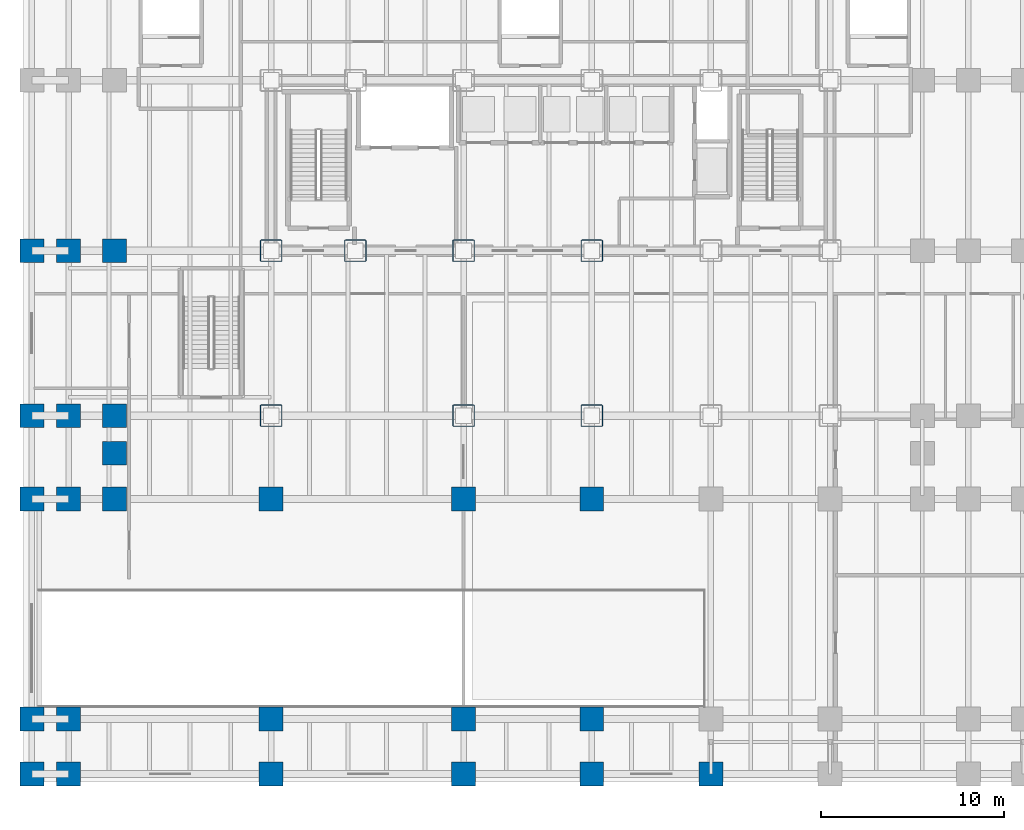
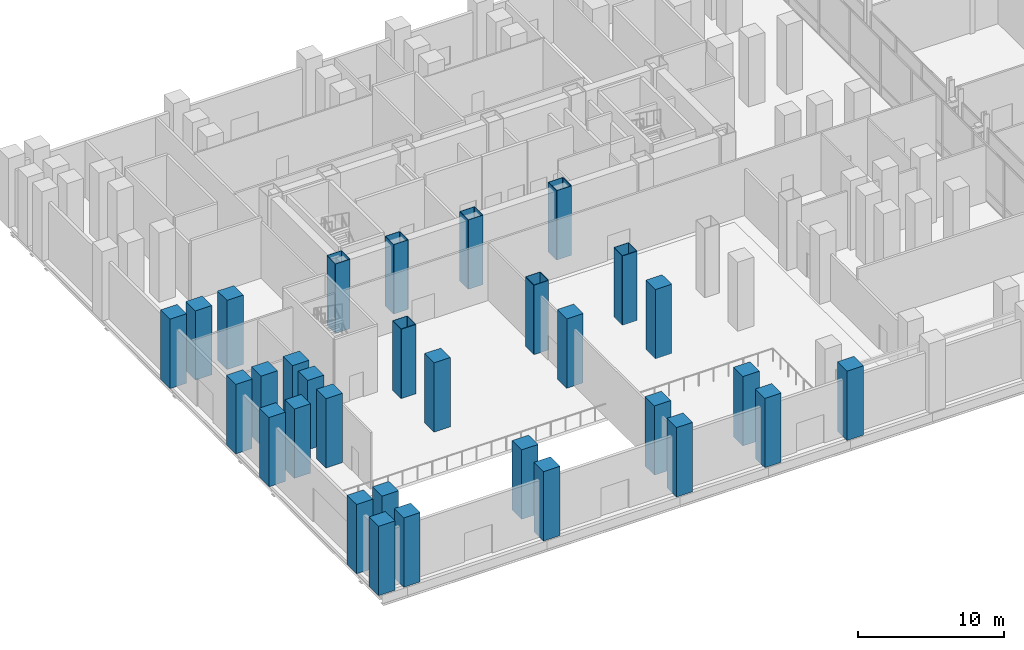
# One storey, part 1 of 36: 31 columns.
"""IFC4 building model written with IfcOpenShell, lengths in metres."""

from ifc_helpers import new_model, si_unit, direction, frame, origin, origin_2d, place, context, subcontext, project, spatial, rectangle, hollow_rectangle, extrude, material, material_profile, profile_set, type_object, element, save


model = new_model("IFC4")

# Units and contexts
model_context = context("Model", 3, precision=1e-05, world=origin(), true_north=direction((0.0, 1.0)))
body_context = subcontext(model_context, "Body", "Model", "MODEL_VIEW")
ifc_project = project(units=[si_unit("LENGTHUNIT", "METRE"), si_unit("AREAUNIT", "SQUARE_METRE"), si_unit("VOLUMEUNIT", "CUBIC_METRE"), si_unit("PLANEANGLEUNIT", "RADIAN"), si_unit("MASSUNIT", "GRAM", prefix="KILO")], contexts=[model_context])

# Site, building, storey
site_placement = place(None, origin())
site = spatial("IfcSite", under=ifc_project, at=site_placement, CompositionType="ELEMENT")
building_placement = place(site_placement, origin())
building = spatial("IfcBuilding", under=site, at=building_placement, Name="Noeulbin Bourse Tower", CompositionType="ELEMENT")
storey_placement = place(building_placement, origin())
storey = spatial("IfcBuildingStorey", under=building, at=storey_placement, Name="L01", CompositionType="ELEMENT", Elevation=0.0)

# Columns
ifc_material_1 = material(Name="Concrete C60/75", Category="concrete")
ifc_material_profile_1 = material_profile(ifc_material_1, rectangle(XDim=1.300048828125, YDim=1.300048828125, at=origin_2d()), Name="RC-COL-1300x1300", Category="LoadBearing")
ifc_profile_set_1 = profile_set([ifc_material_profile_1], Name="Concrete C60/75")
column_type_1 = type_object("IfcColumnType", Name="COL-POD-RC", PredefinedType="COLUMN", material=ifc_profile_set_1)
for number, where, z_axis, x_axis, name in (
    (1, (0.449951171875, 0.449951171875, 0.0), (0.0, 0.0, 1.0), (1.0, 0.0, 0.0), "Podium Column COL-POD-RC 01"),
    (2, (0.449951171875, 3.449951171875, 0.0), (0.0, 0.0, 1.0), (1.0, 0.0, 0.0), "Podium Column COL-POD-RC 02"),
    (3, (0.449951171875, 15.449951171875, 0.0), (0.0, 0.0, 1.0), (1.0, 0.0, 0.0), "Podium Column COL-POD-RC 03"),
    (4, (0.449951171875, 20.0, 0.0), (0.0, 0.0, 1.0), (1.0, 0.0, 0.0), "Podium Column COL-POD-RC 04"),
    (5, (0.449951171875, 29.0, 0.0), (0.0, 0.0, 1.0), (1.0, 0.0, 0.0), "Podium Column COL-POD-RC 05"),
    (6, (2.449951171875, 0.449951171875, 0.0), (0.0, 0.0, 1.0), (1.0, 0.0, 0.0), "Podium Column COL-POD-RC 10"),
    (7, (2.449951171875, 3.449951171875, 0.0), (0.0, 0.0, 1.0), (1.0, 0.0, 0.0), "Podium Column COL-POD-RC 11"),
    (8, (2.449951171875, 15.449951171875, 0.0), (0.0, 0.0, 1.0), (1.0, 0.0, 0.0), "Podium Column COL-POD-RC 12"),
    (9, (2.449951171875, 20.0, 0.0), (0.0, 0.0, 1.0), (1.0, 0.0, 0.0), "Podium Column COL-POD-RC 13"),
    (10, (2.449951171875, 29.0, 0.0), (0.0, 0.0, 1.0), (1.0, 0.0, 0.0), "Podium Column COL-POD-RC 14"),
    (11, (4.949951171875, 15.449951171875, 0.0), (0.0, 0.0, 1.0), (1.0, 0.0, 0.0), "Podium Column COL-POD-RC 19"),
    (12, (4.949951171875, 17.949951171875, 0.0), (0.0, 0.0, 1.0), (1.0, 0.0, 0.0), "Podium Column COL-POD-RC 20"),
    (13, (4.949951171875, 20.0, 0.0), (0.0, 0.0, 1.0), (1.0, 0.0, 0.0), "Podium Column COL-POD-RC 21"),
    (14, (4.949951171875, 29.0, 0.0), (0.0, 0.0, 1.0), (1.0, 0.0, 0.0), "Podium Column COL-POD-RC 22"),
    (15, (13.5, 0.449951171875, 0.0), (0.0, 0.0, 1.0), (1.0, 0.0, 0.0), "Podium Column COL-POD-RC 26"),
    (16, (13.5, 3.449951171875, 0.0), (0.0, 0.0, 1.0), (1.0, 0.0, 0.0), "Podium Column COL-POD-RC 27"),
    (17, (13.5, 15.449951171875, 0.0), (0.0, 0.0, 1.0), (1.0, 0.0, 0.0), "Podium Column COL-POD-RC 28"),
    (18, (24.0, 0.449951171875, 0.0), (0.0, 0.0, 1.0), (1.0, 0.0, 0.0), "Podium Column COL-POD-RC 32"),
    (19, (24.0, 3.449951171875, 0.0), (0.0, 0.0, 1.0), (1.0, 0.0, 0.0), "Podium Column COL-POD-RC 33"),
    (20, (24.0, 15.449951171875, 0.0), (0.0, 0.0, 1.0), (1.0, 0.0, 0.0), "Podium Column COL-POD-RC 34"),
    (21, (31.0, 0.449951171875, 0.0), (0.0, 0.0, 1.0), (1.0, 0.0, 0.0), "Podium Column COL-POD-RC 38"),
    (22, (31.0, 3.449951171875, 0.0), (0.0, 0.0, 1.0), (1.0, 0.0, 0.0), "Podium Column COL-POD-RC 39"),
    (23, (31.0, 15.449951171875, 0.0), (0.0, 0.0, 1.0), (1.0, 0.0, 0.0), "Podium Column COL-POD-RC 40"),
    (24, (37.5, 0.449951171875, 0.0), (0.0, 0.0, 1.0), (1.0, 0.0, 0.0), "Podium Column COL-POD-RC 44"),
):
    element("IfcColumn", number, at=place(storey_placement, frame(where, z_axis=z_axis, x_axis=x_axis)), inside=storey, type_object=column_type_1, Name=name, PredefinedType="COLUMN", context=body_context, shape_type="SweptSolid", body=[
        extrude(rectangle(XDim=1.300048828125, YDim=1.300048828125, at=origin_2d()), origin(), (0.0, 0.0, 1.0), 5.800048828125),
    ])
ifc_material_2 = material(Name="Steel S460", Category="steel")
ifc_material_profile_2 = material_profile(ifc_material_2, hollow_rectangle(XDim=1.199951171875, YDim=1.199951171875, WallThickness=0.0400390625, InnerFilletRadius=0.02001953125, OuterFilletRadius=0.06005859375, at=origin_2d()), Name="BOX-1200x1200x40", Category="LoadBearing")
ifc_profile_set_2 = profile_set([ifc_material_profile_2], Name="Steel S460")
column_type_2 = type_object("IfcColumnType", Name="COL-TRK-Z0", PredefinedType="COLUMN", material=ifc_profile_set_2)
for number, where, z_axis, x_axis, name in (
    (25, (13.5, 29.0, 0.0), (0.0, 0.0, 1.0), (1.0, 0.0, 0.0), "Tower Trunk Mega-Column COL-TRK-Z0 01"),
    (26, (18.10009765625, 29.0, 0.0), (0.0, 0.0, 1.0), (1.0, 0.0, 0.0), "Tower Trunk Mega-Column COL-TRK-Z0 03"),
    (27, (24.0, 29.0, 0.0), (0.0, 0.0, 1.0), (1.0, 0.0, 0.0), "Tower Trunk Mega-Column COL-TRK-Z0 05"),
    (28, (31.0, 29.0, 0.0), (0.0, 0.0, 1.0), (1.0, 0.0, 0.0), "Tower Trunk Mega-Column COL-TRK-Z0 07"),
    (29, (13.5, 20.0, 0.0), (0.0, 0.0, 1.0), (1.0, 0.0, 0.0), "Tower Trunk Mega-Column COL-TRK-Z0 13"),
    (30, (24.0, 20.0, 0.0), (0.0, 0.0, 1.0), (1.0, 0.0, 0.0), "Tower Trunk Mega-Column COL-TRK-Z0 14"),
    (31, (31.0, 20.0, 0.0), (0.0, 0.0, 1.0), (1.0, 0.0, 0.0), "Tower Trunk Mega-Column COL-TRK-Z0 15"),
):
    element("IfcColumn", number, at=place(storey_placement, frame(where, z_axis=z_axis, x_axis=x_axis)), inside=storey, type_object=column_type_2, Name=name, PredefinedType="COLUMN", context=body_context, shape_type="SweptSolid", body=[
        extrude(hollow_rectangle(XDim=1.199951171875, YDim=1.199951171875, WallThickness=0.0400390625, InnerFilletRadius=0.02001953125, OuterFilletRadius=0.06005859375, at=origin_2d()), origin(), (0.0, 0.0, 1.0), 5.800048828125),
    ])

save(model, "model.ifc")
